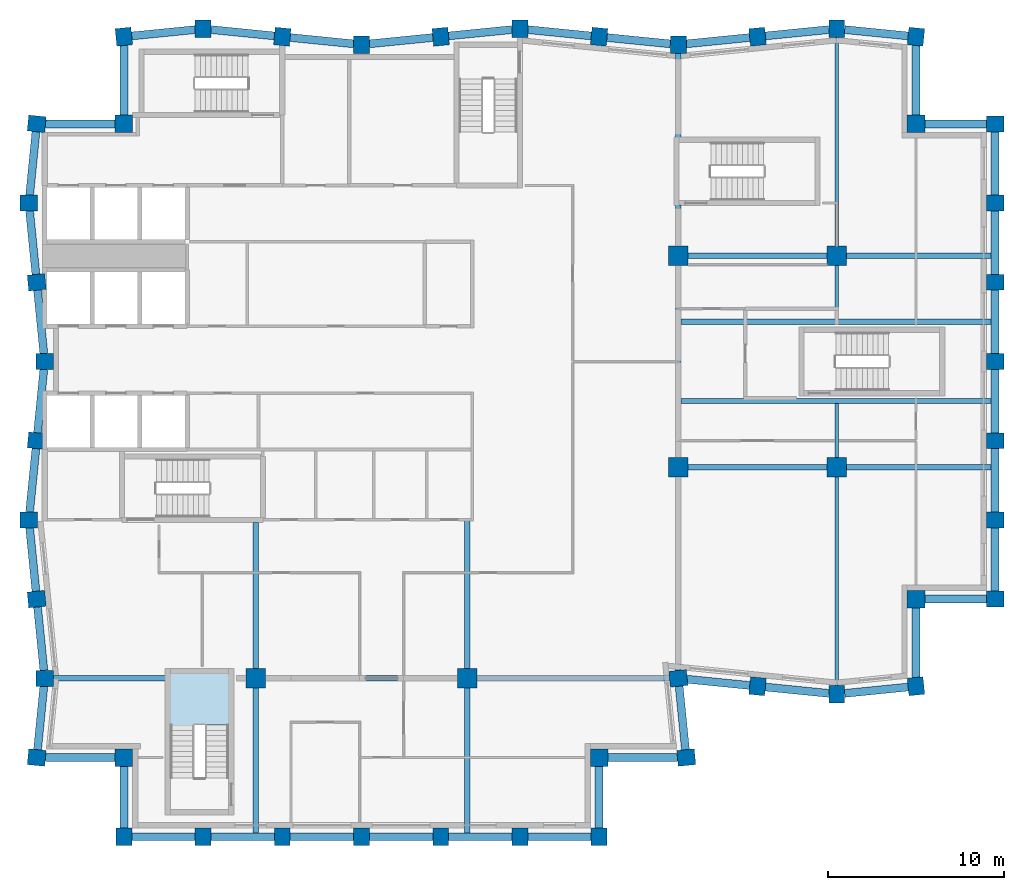
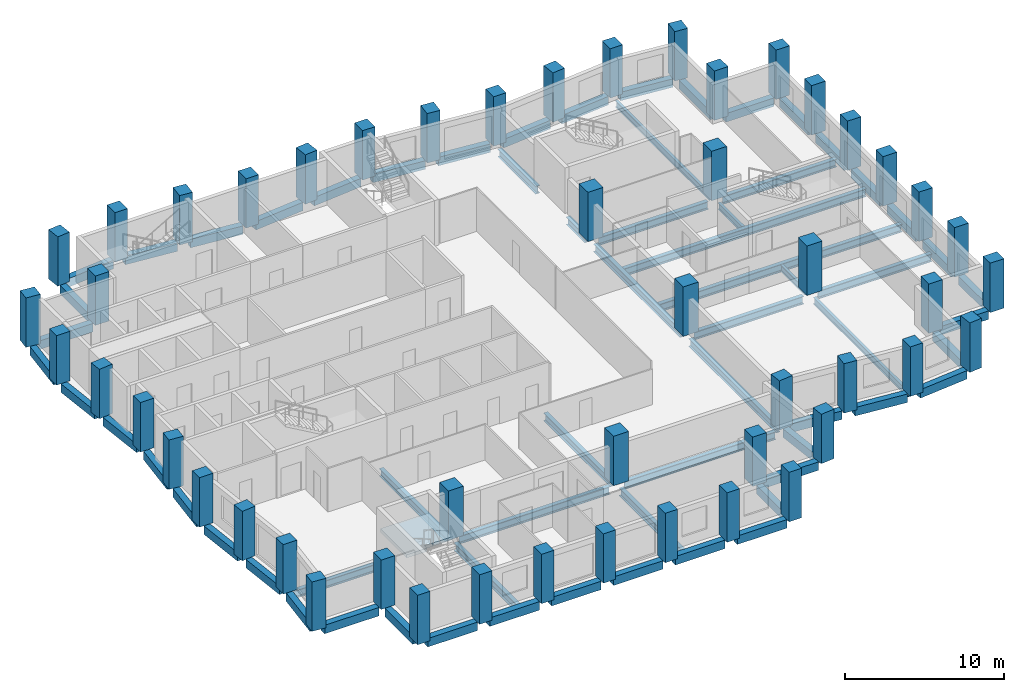
# One storey, part 1 of 8: 65 beams, 50 columns, 1 slab, 1 element without a shape of its own.
"""IFC4 building model written with IfcOpenShell, lengths in metres."""

from ifc_helpers import new_model, si_unit, direction, frame, origin, origin_2d, place, context, subcontext, project, spatial, polyline, rectangle, i_section, outline, extrude, material, layer, layer_set, material_profile, profile_set, type_object, element, aggregate, save


model = new_model("IFC4")

# Units and contexts
model_context = context("Model", 3, precision=1e-05, world=origin(), true_north=direction((0.0, 1.0)))
body_context = subcontext(model_context, "Body", "Model", "MODEL_VIEW")
ifc_project = project(units=[si_unit("LENGTHUNIT", "METRE"), si_unit("AREAUNIT", "SQUARE_METRE"), si_unit("VOLUMEUNIT", "CUBIC_METRE"), si_unit("PLANEANGLEUNIT", "RADIAN"), si_unit("MASSUNIT", "GRAM", prefix="KILO")], contexts=[model_context])

# Site, building, storey
site_placement = place(None, origin())
site = spatial("IfcSite", under=ifc_project, at=site_placement, CompositionType="ELEMENT")
building_placement = place(site_placement, origin())
building = spatial("IfcBuilding", under=site, at=building_placement, Name="Brondeck Convention Tower", CompositionType="ELEMENT")
storey_placement = place(building_placement, frame((0.0, 0.0, 244.39990234375)))
storey = spatial("IfcBuildingStorey", under=building, at=storey_placement, Name="L60", CompositionType="ELEMENT", Elevation=244.39990234375)

# Columns
ifc_material_1 = material(Name="Concrete C50/60", Category="concrete")
ifc_material_profile_1 = material_profile(ifc_material_1, rectangle(XDim=1.0, YDim=1.0, at=origin_2d()), Name="Corner column 1000x1000 Concrete C50/60")
ifc_profile_set_1 = profile_set([ifc_material_profile_1], Name="Concrete C50/60")
column_type_1 = type_object("IfcColumnType", Name="Corner column 1000x1000 Concrete C50/60", PredefinedType="COLUMN", material=ifc_profile_set_1)
for number, where, z_axis, x_axis, name in (
    (1, (4.5, 22.5, 0.0), (0.0, 0.0, 1.0), (1.0, 0.0, 0.0), "STR-COL-L60-NC-SWB18"),
    (2, (31.5, 22.5, 0.0), (0.0, 0.0, 1.0), (1.0, 0.0, 0.0), "STR-COL-L60-NC-SEB18"),
    (3, (49.5, 31.5, 0.0), (0.0, 0.0, 1.0), (1.0, 0.0, 0.0), "STR-COL-L60-NC-SEA54"),
    (4, (49.5, 58.5, 0.0), (0.0, 0.0, 1.0), (1.0, 0.0, 0.0), "STR-COL-L60-NC-NEA54"),
    (5, (4.5, 58.5, 0.0), (0.0, 0.0, 1.0), (1.0, 0.0, 0.0), "STR-COL-L60-NC-NW"),
):
    element("IfcColumn", number, at=place(storey_placement, frame(where, z_axis=z_axis, x_axis=x_axis)), inside=storey, type_object=column_type_1, Name=name, PredefinedType="COLUMN", context=body_context, shape_type="SweptSolid", body=[
        extrude(rectangle(XDim=1.0, YDim=1.0, at=origin_2d()), origin(), (0.0, 0.0, 1.0), 3.800048828125),
    ])
ifc_material_profile_2 = material_profile(ifc_material_1, rectangle(XDim=1.10009765625, YDim=1.10009765625, at=origin_2d()), Name="Interior column 1100x1100 Concrete C50/60")
ifc_profile_set_2 = profile_set([ifc_material_profile_2], Name="Concrete C50/60")
column_type_2 = type_object("IfcColumnType", Name="Interior column 1100x1100 Concrete C50/60", PredefinedType="COLUMN", material=ifc_profile_set_2)
for number, where, z_axis, x_axis, name in (
    (6, (12.0, 27.0, 0.0), (0.0, 0.0, 1.0), (1.0, 0.0, 0.0), "STR-COL-L60-IC-03"),
    (7, (24.0, 27.0, 0.0), (0.0, 0.0, 1.0), (1.0, 0.0, 0.0), "STR-COL-L60-IC-06"),
    (8, (36.0, 39.0, 0.0), (0.0, 0.0, 1.0), (1.0, 0.0, 0.0), "STR-COL-L60-IC-07"),
    (9, (36.0, 51.0, 0.0), (0.0, 0.0, 1.0), (1.0, 0.0, 0.0), "STR-COL-L60-IC-08"),
    (10, (45.0, 39.0, 0.0), (0.0, 0.0, 1.0), (1.0, 0.0, 0.0), "STR-COL-L60-IC-09"),
    (11, (45.0, 51.0, 0.0), (0.0, 0.0, 1.0), (1.0, 0.0, 0.0), "STR-COL-L60-IC-10"),
):
    element("IfcColumn", number, at=place(storey_placement, frame(where, z_axis=z_axis, x_axis=x_axis)), inside=storey, type_object=column_type_2, Name=name, PredefinedType="COLUMN", context=body_context, shape_type="SweptSolid", body=[
        extrude(rectangle(XDim=1.10009765625, YDim=1.10009765625, at=origin_2d()), origin(), (0.0, 0.0, 1.0), 3.800048828125),
    ])
ifc_material_profile_3 = material_profile(ifc_material_1, rectangle(XDim=0.89990234375, YDim=1.0, at=origin_2d()), Name="Perimeter pier 900x1000 Concrete C50/60")
ifc_profile_set_3 = profile_set([ifc_material_profile_3], Name="Concrete C50/60")
column_type_3 = type_object("IfcColumnType", Name="Perimeter pier 900x1000 Concrete C50/60", PredefinedType="COLUMN", material=ifc_profile_set_3)
for number, where, z_axis, x_axis, name in (
    (12, (4.5, 18.0, 0.0), (0.0, 0.0, 1.0), (1.0, 0.0, 0.0), "STR-COL-L60-PC-B-S18-01"),
    (13, (9.0, 18.0, 0.0), (0.0, 0.0, 1.0), (1.0, 0.0, 0.0), "STR-COL-L60-PC-B-S18-02"),
    (14, (13.5, 18.0, 0.0), (0.0, 0.0, 1.0), (1.0, 0.0, 0.0), "STR-COL-L60-PC-B-S18-03"),
    (15, (18.0, 18.0, 0.0), (0.0, 0.0, 1.0), (1.0, 0.0, 0.0), "STR-COL-L60-PC-B-S18-04"),
    (16, (22.5, 18.0, 0.0), (0.0, 0.0, 1.0), (1.0, 0.0, 0.0), "STR-COL-L60-PC-B-S18-05"),
    (17, (27.0, 18.0, 0.0), (0.0, 0.0, 1.0), (1.0, 0.0, 0.0), "STR-COL-L60-PC-B-S18-06"),
    (18, (31.5, 18.0, 0.0), (0.0, 0.0, 1.0), (1.0, 0.0, 0.0), "STR-COL-L60-PC-B-S18-07"),
    (19, (36.449951171875, 22.5, 0.0), (0.0, 0.0, 1.0), (-0.0995038382, 0.995037178292, 0.0), "STR-COL-L60-PC-B-E-01"),
    (20, (36.0, 27.0, 0.0), (0.0, 0.0, 1.0), (-0.0995038382, 0.995037178292, 0.0), "STR-COL-L60-PC-B-E-00"),
    (21, (40.5, 26.550048828125, 0.0), (0.0, 0.0, 1.0), (0.995037178292, -0.0995038382, 0.0), "STR-COL-L60-PC-A-S-01"),
    (22, (45.0, 26.10009765625, 0.0), (0.0, 0.0, 1.0), (1.0, 0.0, 0.0), "STR-COL-L60-PC-A-S-02"),
    (23, (49.5, 26.550048828125, 0.0), (0.0, 0.0, 1.0), (0.995037178292, 0.0995038382, 0.0), "STR-COL-L60-PC-A-S-03"),
    (24, (54.0, 31.5, 0.0), (0.0, 0.0, 1.0), (0.0, 1.0, 0.0), "STR-COL-L60-PC-A-E54-01"),
    (25, (54.0, 36.0, 0.0), (0.0, 0.0, 1.0), (0.0, 1.0, 0.0), "STR-COL-L60-PC-A-E54-02"),
    (26, (54.0, 40.5, 0.0), (0.0, 0.0, 1.0), (0.0, 1.0, 0.0), "STR-COL-L60-PC-A-E54-03"),
    (27, (54.0, 45.0, 0.0), (0.0, 0.0, 1.0), (0.0, 1.0, 0.0), "STR-COL-L60-PC-A-E54-04"),
    (28, (54.0, 49.5, 0.0), (0.0, 0.0, 1.0), (0.0, 1.0, 0.0), "STR-COL-L60-PC-A-E54-05"),
    (29, (54.0, 54.0, 0.0), (0.0, 0.0, 1.0), (0.0, 1.0, 0.0), "STR-COL-L60-PC-A-E54-06"),
    (30, (54.0, 58.5, 0.0), (0.0, 0.0, 1.0), (0.0, 1.0, 0.0), "STR-COL-L60-PC-A-E54-07"),
    (31, (49.5, 63.449951171875, 0.0), (0.0, 0.0, 1.0), (-0.995037178292, 0.0995038382, 0.0), "STR-COL-L60-PC-A-N-11"),
    (32, (45.0, 63.89990234375, 0.0), (0.0, 0.0, 1.0), (-1.0, 0.0, 0.0), "STR-COL-L60-PC-A-N-10"),
    (33, (40.5, 63.449951171875, 0.0), (0.0, 0.0, 1.0), (-0.995037178292, -0.0995038382, 0.0), "STR-COL-L60-PC-A-N-09"),
    (34, (36.0, 63.0, 0.0), (0.0, 0.0, 1.0), (-1.0, 0.0, 0.0), "STR-COL-L60-PC-A-N-08"),
    (35, (31.5, 63.449951171875, 0.0), (0.0, 0.0, 1.0), (-0.995037178292, 0.0995038382, 0.0), "STR-COL-L60-PC-A-N-07"),
    (36, (27.0, 63.89990234375, 0.0), (0.0, 0.0, 1.0), (-1.0, 0.0, 0.0), "STR-COL-L60-PC-A-N-06"),
    (37, (22.5, 63.449951171875, 0.0), (0.0, 0.0, 1.0), (-0.995037178292, -0.0995038382, 0.0), "STR-COL-L60-PC-A-N-05"),
    (38, (18.0, 63.0, 0.0), (0.0, 0.0, 1.0), (-1.0, 0.0, 0.0), "STR-COL-L60-PC-A-N-04"),
    (39, (13.5, 63.449951171875, 0.0), (0.0, 0.0, 1.0), (-0.995037178292, 0.0995038382, 0.0), "STR-COL-L60-PC-A-N-03"),
    (40, (9.0, 63.89990234375, 0.0), (0.0, 0.0, 1.0), (-1.0, 0.0, 0.0), "STR-COL-L60-PC-A-N-02"),
    (41, (4.5, 63.449951171875, 0.0), (0.0, 0.0, 1.0), (-0.995037178292, -0.0995038382, 0.0), "STR-COL-L60-PC-A-N-01"),
    (42, (-0.449951171875, 58.5, 0.0), (0.0, 0.0, 1.0), (-0.0995038382, -0.995037178292, 0.0), "STR-COL-L60-PC-B-W-01"),
    (43, (-0.89990234375, 54.0, 0.0), (0.0, 0.0, 1.0), (0.0, -1.0, 0.0), "STR-COL-L60-PC-B-W-02"),
    (44, (-0.449951171875, 49.5, 0.0), (0.0, 0.0, 1.0), (0.0995038382, -0.995037178292, 0.0), "STR-COL-L60-PC-B-W-03"),
    (45, (0.0, 45.0, 0.0), (0.0, 0.0, 1.0), (0.0, -1.0, 0.0), "STR-COL-L60-PC-B-W-04"),
    (46, (-0.449951171875, 40.5, 0.0), (0.0, 0.0, 1.0), (-0.0995038382, -0.995037178292, 0.0), "STR-COL-L60-PC-B-W-05"),
    (47, (-0.89990234375, 36.0, 0.0), (0.0, 0.0, 1.0), (0.0, -1.0, 0.0), "STR-COL-L60-PC-B-W-06"),
    (48, (-0.449951171875, 31.5, 0.0), (0.0, 0.0, 1.0), (0.0995038382, -0.995037178292, 0.0), "STR-COL-L60-PC-B-W-07"),
    (49, (0.0, 27.0, 0.0), (0.0, 0.0, 1.0), (0.0, -1.0, 0.0), "STR-COL-L60-PC-B-W-08"),
    (50, (-0.449951171875, 22.5, 0.0), (0.0, 0.0, 1.0), (-0.0995038382, -0.995037178292, 0.0), "STR-COL-L60-PC-B-W-09"),
):
    element("IfcColumn", number, at=place(storey_placement, frame(where, z_axis=z_axis, x_axis=x_axis)), inside=storey, type_object=column_type_3, Name=name, PredefinedType="COLUMN", context=body_context, shape_type="SweptSolid", body=[
        extrude(rectangle(XDim=0.89990234375, YDim=1.0, at=origin_2d()), origin(), (0.0, 0.0, 1.0), 3.800048828125),
    ])

# Beams
ifc_material_2 = material(Name="Steel S355", Category="steel")
ifc_material_profile_4 = material_profile(ifc_material_2, i_section(OverallWidth=0.199951171875, OverallDepth=0.5, WebThickness=0.01025390625, FlangeThickness=0.01611328125, FilletRadius=0.02099609375, at=origin_2d()), Name="IPE 500")
ifc_profile_set_4 = profile_set([ifc_material_profile_4], Name="Steel S355")
beam_type_1 = type_object("IfcBeamType", Name="Floor beam IPE 500", PredefinedType="BEAM", material=ifc_profile_set_4)
for number, where, z_axis, x_axis, name in (
    (51, (45.0, 26.60009765625, -0.5498046875), (0.0, 1.0, 0.0), (-1.0, 0.0, 0.0), "STR-FB-L60-001"),
    (52, (45.0, 51.550048828125, -0.5498046875), (0.0, 1.0, 0.0), (-1.0, 0.0, 0.0), "STR-FB-L60-002"),
):
    element("IfcBeam", number, at=place(storey_placement, frame(where, z_axis=z_axis, x_axis=x_axis)), inside=storey, type_object=beam_type_1, Name=name, PredefinedType="BEAM", context=body_context, shape_type="SweptSolid", body=[
        extrude(i_section(OverallWidth=0.199951171875, OverallDepth=0.5, WebThickness=0.01025390625, FlangeThickness=0.01611328125, FilletRadius=0.02099609375, at=origin_2d()), origin(), (0.0, 0.0, 1.0), 11.849853515625),
    ])
for number, where, z_axis, x_axis, name in (
    (53, (45.0, 39.550048828125, -0.5498046875), (0.0, 1.0, 0.0), (-1.0, 0.0, 0.0), "STR-FB-L60-003"),
    (54, (45.0, 47.39990234375, -0.5498046875), (0.0, 1.0, 0.0), (-1.0, 0.0, 0.0), "STR-FB-L60-004"),
):
    element("IfcBeam", number, at=place(storey_placement, frame(where, z_axis=z_axis, x_axis=x_axis)), inside=storey, type_object=beam_type_1, Name=name, PredefinedType="BEAM", context=body_context, shape_type="SweptSolid", body=[
        extrude(i_section(OverallWidth=0.199951171875, OverallDepth=0.5, WebThickness=0.01025390625, FlangeThickness=0.01611328125, FilletRadius=0.02099609375, at=origin_2d()), origin(), (0.0, 0.0, 1.0), 3.050048828125),
    ])
ifc_material_profile_5 = material_profile(ifc_material_2, i_section(OverallWidth=0.300048828125, OverallDepth=0.60009765625, WebThickness=0.015380859375, FlangeThickness=0.030029296875, FilletRadius=0.027099609375, at=origin_2d()), Name="HEB 600")
ifc_profile_set_5 = profile_set([ifc_material_profile_5], Name="Steel S355")
beam_type_2 = type_object("IfcBeamType", Name="Girder HEB 600", PredefinedType="BEAM", material=ifc_profile_set_5)
beam_1_placement = place(storey_placement, frame((36.550048828125, 39.0, -0.599853515625), z_axis=(1.0, 0.0, 0.0), x_axis=(0.0, 1.0, 0.0)))
element("IfcBeam", 55, at=beam_1_placement, inside=storey, type_object=beam_type_2, Name="STR-GR-L60-001", PredefinedType="BEAM", context=body_context, shape_type="SweptSolid", body=[
    extrude(i_section(OverallWidth=0.300048828125, OverallDepth=0.60009765625, WebThickness=0.015380859375, FlangeThickness=0.030029296875, FilletRadius=0.027099609375, at=origin_2d()), origin(), (0.0, 0.0, 1.0), 7.89990234375),
])
beam_2_placement = place(storey_placement, frame((45.550048828125, 39.0, -0.599853515625), z_axis=(1.0, 0.0, 0.0), x_axis=(0.0, 1.0, 0.0)))
element("IfcBeam", 56, at=beam_2_placement, inside=storey, type_object=beam_type_2, Name="STR-GR-L60-002", PredefinedType="BEAM", context=body_context, shape_type="SweptSolid", body=[
    extrude(i_section(OverallWidth=0.300048828125, OverallDepth=0.60009765625, WebThickness=0.015380859375, FlangeThickness=0.030029296875, FilletRadius=0.027099609375, at=origin_2d()), origin(), (0.0, 0.0, 1.0), 8.224853515625),
])
beam_3_placement = place(storey_placement, frame((36.550048828125, 51.0, -0.599853515625), z_axis=(1.0, 0.0, 0.0), x_axis=(0.0, 1.0, 0.0)))
element("IfcBeam", 57, at=beam_3_placement, inside=storey, type_object=beam_type_2, Name="STR-GR-L60-003", PredefinedType="BEAM", context=body_context, shape_type="SweptSolid", body=[
    extrude(i_section(OverallWidth=0.300048828125, OverallDepth=0.60009765625, WebThickness=0.015380859375, FlangeThickness=0.030029296875, FilletRadius=0.027099609375, at=origin_2d()), origin(), (0.0, 0.0, 1.0), 7.89990234375),
])
beam_4_placement = place(storey_placement, frame((45.550048828125, 51.0, -0.599853515625), z_axis=(1.0, 0.0, 0.0), x_axis=(0.0, 1.0, 0.0)))
element("IfcBeam", 58, at=beam_4_placement, inside=storey, type_object=beam_type_2, Name="STR-GR-L60-004", PredefinedType="BEAM", context=body_context, shape_type="SweptSolid", body=[
    extrude(i_section(OverallWidth=0.300048828125, OverallDepth=0.60009765625, WebThickness=0.015380859375, FlangeThickness=0.030029296875, FilletRadius=0.027099609375, at=origin_2d()), origin(), (0.0, 0.0, 1.0), 8.224853515625),
])
beam_5_placement = place(storey_placement, frame((36.0, 27.4521484375, -0.599853515625), z_axis=(0.0, 1.0, 0.0), x_axis=(-1.0, 0.0, 0.0)))
element("IfcBeam", 59, at=beam_5_placement, inside=storey, type_object=beam_type_2, Name="STR-GR-L60-005", PredefinedType="BEAM", context=body_context, shape_type="SweptSolid", body=[
    extrude(i_section(OverallWidth=0.300048828125, OverallDepth=0.60009765625, WebThickness=0.015380859375, FlangeThickness=0.030029296875, FilletRadius=0.027099609375, at=origin_2d()), origin(), (0.0, 0.0, 1.0), 10.997802734375),
])
beam_6_placement = place(storey_placement, frame((36.0, 39.550048828125, -0.599853515625), z_axis=(0.0, 1.0, 0.0), x_axis=(-1.0, 0.0, 0.0)))
element("IfcBeam", 60, at=beam_6_placement, inside=storey, type_object=beam_type_2, Name="STR-GR-L60-006", PredefinedType="BEAM", context=body_context, shape_type="SweptSolid", body=[
    extrude(i_section(OverallWidth=0.300048828125, OverallDepth=0.60009765625, WebThickness=0.015380859375, FlangeThickness=0.030029296875, FilletRadius=0.027099609375, at=origin_2d()), origin(), (0.0, 0.0, 1.0), 10.89990234375),
])
beam_7_placement = place(storey_placement, frame((36.0, 51.550048828125, -0.599853515625), z_axis=(0.0, 1.0, 0.0), x_axis=(-1.0, 0.0, 0.0)))
element("IfcBeam", 61, at=beam_7_placement, inside=storey, type_object=beam_type_2, Name="STR-GR-L60-007", PredefinedType="BEAM", context=body_context, shape_type="SweptSolid", body=[
    extrude(i_section(OverallWidth=0.300048828125, OverallDepth=0.60009765625, WebThickness=0.015380859375, FlangeThickness=0.030029296875, FilletRadius=0.027099609375, at=origin_2d()), origin(), (0.0, 0.0, 1.0), 2.329833984375),
])
beam_8_placement = place(storey_placement, frame((36.0, 57.719970703125, -0.599853515625), z_axis=(0.0, 1.0, 0.0), x_axis=(-1.0, 0.0, 0.0)))
element("IfcBeam", 62, at=beam_8_placement, inside=storey, type_object=beam_type_2, Name="STR-GR-L60-008", PredefinedType="BEAM", context=body_context, shape_type="SweptSolid", body=[
    extrude(i_section(OverallWidth=0.300048828125, OverallDepth=0.60009765625, WebThickness=0.015380859375, FlangeThickness=0.030029296875, FilletRadius=0.027099609375, at=origin_2d()), origin(), (0.0, 0.0, 1.0), 4.780029296875),
])
beam_9_placement = place(storey_placement, frame((12.0, 35.85009765625, -0.599853515625), z_axis=(0.0, -1.0, 0.0), x_axis=(1.0, 0.0, 0.0)))
element("IfcBeam", 63, at=beam_9_placement, inside=storey, type_object=beam_type_2, Name="STR-GR-L60-009", PredefinedType="BEAM", context=body_context, shape_type="SweptSolid", body=[
    extrude(i_section(OverallWidth=0.300048828125, OverallDepth=0.60009765625, WebThickness=0.015380859375, FlangeThickness=0.030029296875, FilletRadius=0.027099609375, at=origin_2d()), origin(), (0.0, 0.0, 1.0), 8.300048828125),
])
beam_10_placement = place(storey_placement, frame((12.0, 26.449951171875, -0.599853515625), z_axis=(0.0, -1.0, 0.0), x_axis=(1.0, 0.0, 0.0)))
element("IfcBeam", 64, at=beam_10_placement, inside=storey, type_object=beam_type_2, Name="STR-GR-L60-010", PredefinedType="BEAM", context=body_context, shape_type="SweptSolid", body=[
    extrude(i_section(OverallWidth=0.300048828125, OverallDepth=0.60009765625, WebThickness=0.015380859375, FlangeThickness=0.030029296875, FilletRadius=0.027099609375, at=origin_2d()), origin(), (0.0, 0.0, 1.0), 8.224853515625),
])
beam_11_placement = place(storey_placement, frame((24.0, 35.955078125, -0.599853515625), z_axis=(0.0, -1.0, 0.0), x_axis=(1.0, 0.0, 0.0)))
element("IfcBeam", 65, at=beam_11_placement, inside=storey, type_object=beam_type_2, Name="STR-GR-L60-011", PredefinedType="BEAM", context=body_context, shape_type="SweptSolid", body=[
    extrude(i_section(OverallWidth=0.300048828125, OverallDepth=0.60009765625, WebThickness=0.015380859375, FlangeThickness=0.030029296875, FilletRadius=0.027099609375, at=origin_2d()), origin(), (0.0, 0.0, 1.0), 8.405029296875),
])
beam_12_placement = place(storey_placement, frame((24.0, 26.449951171875, -0.599853515625), z_axis=(0.0, -1.0, 0.0), x_axis=(1.0, 0.0, 0.0)))
element("IfcBeam", 66, at=beam_12_placement, inside=storey, type_object=beam_type_2, Name="STR-GR-L60-012", PredefinedType="BEAM", context=body_context, shape_type="SweptSolid", body=[
    extrude(i_section(OverallWidth=0.300048828125, OverallDepth=0.60009765625, WebThickness=0.015380859375, FlangeThickness=0.030029296875, FilletRadius=0.027099609375, at=origin_2d()), origin(), (0.0, 0.0, 1.0), 8.224853515625),
])
beam_13_placement = place(storey_placement, frame((0.5, 27.0, -0.599853515625), z_axis=(1.0, 0.0, 0.0), x_axis=(0.0, 1.0, 0.0)))
element("IfcBeam", 67, at=beam_13_placement, inside=storey, type_object=beam_type_2, Name="STR-GR-L60-013", PredefinedType="BEAM", context=body_context, shape_type="SweptSolid", body=[
    extrude(i_section(OverallWidth=0.300048828125, OverallDepth=0.60009765625, WebThickness=0.015380859375, FlangeThickness=0.030029296875, FilletRadius=0.027099609375, at=origin_2d()), origin(), (0.0, 0.0, 1.0), 6.3798828125),
])
beam_14_placement = place(storey_placement, frame((12.550048828125, 27.0, -0.599853515625), z_axis=(1.0, 0.0, 0.0), x_axis=(0.0, 1.0, 0.0)))
element("IfcBeam", 68, at=beam_14_placement, inside=storey, type_object=beam_type_2, Name="STR-GR-L60-014", PredefinedType="BEAM", context=body_context, shape_type="SweptSolid", body=[
    extrude(i_section(OverallWidth=0.300048828125, OverallDepth=0.60009765625, WebThickness=0.015380859375, FlangeThickness=0.030029296875, FilletRadius=0.027099609375, at=origin_2d()), origin(), (0.0, 0.0, 1.0), 10.89990234375),
])
beam_15_placement = place(storey_placement, frame((24.550048828125, 27.0, -0.599853515625), z_axis=(1.0, 0.0, 0.0), x_axis=(0.0, 1.0, 0.0)))
element("IfcBeam", 69, at=beam_15_placement, inside=storey, type_object=beam_type_2, Name="STR-GR-L60-015", PredefinedType="BEAM", context=body_context, shape_type="SweptSolid", body=[
    extrude(i_section(OverallWidth=0.300048828125, OverallDepth=0.60009765625, WebThickness=0.015380859375, FlangeThickness=0.030029296875, FilletRadius=0.027099609375, at=origin_2d()), origin(), (0.0, 0.0, 1.0), 10.947509765625),
])
for number, where, z_axis, x_axis, name in (
    (70, (36.14990234375, 42.75, -0.599853515625), (1.0, 0.0, 0.0), (0.0, 1.0, 0.0), "STR-GR-L60-016"),
    (71, (36.14990234375, 47.25, -0.599853515625), (1.0, 0.0, 0.0), (0.0, 1.0, 0.0), "STR-GR-L60-017"),
):
    element("IfcBeam", number, at=place(storey_placement, frame(where, z_axis=z_axis, x_axis=x_axis)), inside=storey, type_object=beam_type_2, Name=name, PredefinedType="BEAM", context=body_context, shape_type="SweptSolid", body=[
        extrude(i_section(OverallWidth=0.300048828125, OverallDepth=0.60009765625, WebThickness=0.015380859375, FlangeThickness=0.030029296875, FilletRadius=0.027099609375, at=origin_2d()), origin(), (0.0, 0.0, 1.0), 17.625),
    ])
ifc_material_profile_6 = material_profile(ifc_material_1, rectangle(XDim=0.449951171875, YDim=0.64990234375, at=origin_2d()), Name="Precast spandrel 450x650 Concrete C50/60")
ifc_profile_set_6 = profile_set([ifc_material_profile_6], Name="Concrete C50/60")
beam_type_3 = type_object("IfcBeamType", Name="Precast spandrel 450x650 Concrete C50/60", PredefinedType="SPANDREL", material=ifc_profile_set_6)
for number, where, z_axis, x_axis, name in (
    (72, (4.949951171875, 18.0, -0.324951171875), (1.0, 0.0, 0.0), (0.0, 1.0, 0.0), "STR-SP-L60-001"),
    (73, (9.449951171875, 18.0, -0.324951171875), (1.0, 0.0, 0.0), (0.0, 1.0, 0.0), "STR-SP-L60-002"),
    (74, (13.949951171875, 18.0, -0.324951171875), (1.0, 0.0, 0.0), (0.0, 1.0, 0.0), "STR-SP-L60-003"),
    (75, (18.449951171875, 18.0, -0.324951171875), (1.0, 0.0, 0.0), (0.0, 1.0, 0.0), "STR-SP-L60-004"),
    (76, (22.949951171875, 18.0, -0.324951171875), (1.0, 0.0, 0.0), (0.0, 1.0, 0.0), "STR-SP-L60-005"),
    (77, (27.449951171875, 18.0, -0.324951171875), (1.0, 0.0, 0.0), (0.0, 1.0, 0.0), "STR-SP-L60-006"),
):
    element("IfcBeam", number, at=place(storey_placement, frame(where, z_axis=z_axis, x_axis=x_axis)), inside=storey, type_object=beam_type_3, Name=name, PredefinedType="SPANDREL", context=body_context, shape_type="SweptSolid", body=[
        extrude(rectangle(XDim=0.449951171875, YDim=0.64990234375, at=origin_2d()), origin(), (0.0, 0.0, 1.0), 3.60009765625),
    ])
beam_16_placement = place(storey_placement, frame((31.5, 18.5, -0.324951171875), z_axis=(0.0, 1.0, 0.0), x_axis=(-1.0, 0.0, 0.0)))
element("IfcBeam", 78, at=beam_16_placement, inside=storey, type_object=beam_type_3, Name="STR-SP-L60-007", PredefinedType="SPANDREL", context=body_context, shape_type="SweptSolid", body=[
    extrude(rectangle(XDim=0.449951171875, YDim=0.64990234375, at=origin_2d()), origin(), (0.0, 0.0, 1.0), 3.5),
])
beam_17_placement = place(storey_placement, frame((32.0, 22.5, -0.324951171875), z_axis=(1.0, 0.0, 0.0), x_axis=(0.0, 1.0, 0.0)))
element("IfcBeam", 79, at=beam_17_placement, inside=storey, type_object=beam_type_3, Name="STR-SP-L60-008", PredefinedType="SPANDREL", context=body_context, shape_type="SweptSolid", body=[
    extrude(rectangle(XDim=0.449951171875, YDim=0.64990234375, at=origin_2d()), origin(), (0.0, 0.0, 1.0), 3.947509765625),
])
beam_18_placement = place(storey_placement, frame((36.4052734375, 22.94775390625, -0.324951171875), z_axis=(-0.099543756114, 0.995033185687, 0.0), x_axis=(-0.995033185687, -0.099543756114, 0.0)))
element("IfcBeam", 80, at=beam_18_placement, inside=storey, type_object=beam_type_3, Name="STR-SP-L60-009", PredefinedType="SPANDREL", context=body_context, shape_type="SweptSolid", body=[
    extrude(rectangle(XDim=0.449951171875, YDim=0.64990234375, at=origin_2d()), origin(), (0.0, 0.0, 1.0), 3.62255859375),
])
beam_19_placement = place(storey_placement, frame((36.507568359375, 26.94921875, -0.324951171875), z_axis=(0.995036511638, -0.099510504504, 0.0), x_axis=(0.099510504504, 0.995036511638, 0.0)))
element("IfcBeam", 81, at=beam_19_placement, inside=storey, type_object=beam_type_3, Name="STR-SP-L60-010", PredefinedType="SPANDREL", context=body_context, shape_type="SweptSolid", body=[
    extrude(rectangle(XDim=0.449951171875, YDim=0.64990234375, at=origin_2d()), origin(), (0.0, 0.0, 1.0), 3.562255859375),
])
for number, where, z_axis, x_axis, name in (
    (82, (40.94775390625, 26.505126953125, -0.324951171875), (0.995040528141, -0.099470334057, 0.0), (0.099470334057, 0.995040528141, 0.0), "STR-SP-L60-011"),
    (83, (45.449951171875, 26.14501953125, -0.324951171875), (0.995040528141, 0.099470334057, 0.0), (-0.099470334057, 0.995040528141, 0.0), "STR-SP-L60-012"),
):
    element("IfcBeam", number, at=place(storey_placement, frame(where, z_axis=z_axis, x_axis=x_axis)), inside=storey, type_object=beam_type_3, Name=name, PredefinedType="SPANDREL", context=body_context, shape_type="SweptSolid", body=[
        extrude(rectangle(XDim=0.449951171875, YDim=0.64990234375, at=origin_2d()), origin(), (0.0, 0.0, 1.0), 3.620361328125),
    ])
beam_20_placement = place(storey_placement, frame((49.5, 27.052490234375, -0.324951171875), z_axis=(0.0, 1.0, 0.0), x_axis=(-1.0, 0.0, 0.0)))
element("IfcBeam", 84, at=beam_20_placement, inside=storey, type_object=beam_type_3, Name="STR-SP-L60-013", PredefinedType="SPANDREL", context=body_context, shape_type="SweptSolid", body=[
    extrude(rectangle(XDim=0.449951171875, YDim=0.64990234375, at=origin_2d()), origin(), (0.0, 0.0, 1.0), 3.947509765625),
])
beam_21_placement = place(storey_placement, frame((50.0, 31.5, -0.324951171875), z_axis=(1.0, 0.0, 0.0), x_axis=(0.0, 1.0, 0.0)))
element("IfcBeam", 85, at=beam_21_placement, inside=storey, type_object=beam_type_3, Name="STR-SP-L60-014", PredefinedType="SPANDREL", context=body_context, shape_type="SweptSolid", body=[
    extrude(rectangle(XDim=0.449951171875, YDim=0.64990234375, at=origin_2d()), origin(), (0.0, 0.0, 1.0), 3.5),
])
for number, where, z_axis, x_axis, name in (
    (86, (54.0, 31.949951171875, -0.324951171875), (0.0, 1.0, 0.0), (-1.0, 0.0, 0.0), "STR-SP-L60-015"),
    (87, (54.0, 36.449951171875, -0.324951171875), (0.0, 1.0, 0.0), (-1.0, 0.0, 0.0), "STR-SP-L60-016"),
    (88, (54.0, 40.949951171875, -0.324951171875), (0.0, 1.0, 0.0), (-1.0, 0.0, 0.0), "STR-SP-L60-017"),
    (89, (54.0, 45.449951171875, -0.324951171875), (0.0, 1.0, 0.0), (-1.0, 0.0, 0.0), "STR-SP-L60-018"),
    (90, (54.0, 49.949951171875, -0.324951171875), (0.0, 1.0, 0.0), (-1.0, 0.0, 0.0), "STR-SP-L60-019"),
    (91, (54.0, 54.449951171875, -0.324951171875), (0.0, 1.0, 0.0), (-1.0, 0.0, 0.0), "STR-SP-L60-020"),
):
    element("IfcBeam", number, at=place(storey_placement, frame(where, z_axis=z_axis, x_axis=x_axis)), inside=storey, type_object=beam_type_3, Name=name, PredefinedType="SPANDREL", context=body_context, shape_type="SweptSolid", body=[
        extrude(rectangle(XDim=0.449951171875, YDim=0.64990234375, at=origin_2d()), origin(), (0.0, 0.0, 1.0), 3.60009765625),
    ])
beam_22_placement = place(storey_placement, frame((53.5, 58.5, -0.324951171875), z_axis=(-1.0, 0.0, 0.0), x_axis=(0.0, -1.0, 0.0)))
element("IfcBeam", 92, at=beam_22_placement, inside=storey, type_object=beam_type_3, Name="STR-SP-L60-021", PredefinedType="SPANDREL", context=body_context, shape_type="SweptSolid", body=[
    extrude(rectangle(XDim=0.449951171875, YDim=0.64990234375, at=origin_2d()), origin(), (0.0, 0.0, 1.0), 3.5),
])
beam_23_placement = place(storey_placement, frame((49.5, 59.0, -0.324951171875), z_axis=(0.0, 1.0, 0.0), x_axis=(-1.0, 0.0, 0.0)))
element("IfcBeam", 93, at=beam_23_placement, inside=storey, type_object=beam_type_3, Name="STR-SP-L60-022", PredefinedType="SPANDREL", context=body_context, shape_type="SweptSolid", body=[
    extrude(rectangle(XDim=0.449951171875, YDim=0.64990234375, at=origin_2d()), origin(), (0.0, 0.0, 1.0), 3.947509765625),
])
for number, where, z_axis, x_axis, name in (
    (94, (49.05224609375, 63.494873046875, -0.324951171875), (-0.995040528141, 0.099470334057, 0.0), (-0.099470334057, -0.995040528141, 0.0), "STR-SP-L60-023"),
    (95, (44.550048828125, 63.85498046875, -0.324951171875), (-0.995040528141, -0.099470334057, 0.0), (0.099470334057, -0.995040528141, 0.0), "STR-SP-L60-024"),
    (96, (40.05224609375, 63.4052734375, -0.324951171875), (-0.995033851182, -0.099537103649, 0.0), (0.099537103649, -0.995033851182, 0.0), "STR-SP-L60-025"),
    (97, (35.550048828125, 63.044921875, -0.324951171875), (-0.995033851182, 0.099537103649, 0.0), (-0.099537103649, -0.995033851182, 0.0), "STR-SP-L60-026"),
    (98, (31.05224609375, 63.494873046875, -0.324951171875), (-0.995040528141, 0.099470334057, 0.0), (-0.099470334057, -0.995040528141, 0.0), "STR-SP-L60-027"),
    (99, (26.550048828125, 63.85498046875, -0.324951171875), (-0.995040528141, -0.099470334057, 0.0), (0.099470334057, -0.995040528141, 0.0), "STR-SP-L60-028"),
    (100, (22.05224609375, 63.4052734375, -0.324951171875), (-0.995033851182, -0.099537103649, 0.0), (0.099537103649, -0.995033851182, 0.0), "STR-SP-L60-029"),
    (101, (17.550048828125, 63.044921875, -0.324951171875), (-0.995033851182, 0.099537103649, 0.0), (-0.099537103649, -0.995033851182, 0.0), "STR-SP-L60-030"),
    (102, (13.05224609375, 63.494873046875, -0.324951171875), (-0.995040528141, 0.099470334057, 0.0), (-0.099470334057, -0.995040528141, 0.0), "STR-SP-L60-031"),
    (103, (8.550048828125, 63.85498046875, -0.324951171875), (-0.995040528141, -0.099470334057, 0.0), (0.099470334057, -0.995040528141, 0.0), "STR-SP-L60-032"),
):
    element("IfcBeam", number, at=place(storey_placement, frame(where, z_axis=z_axis, x_axis=x_axis)), inside=storey, type_object=beam_type_3, Name=name, PredefinedType="SPANDREL", context=body_context, shape_type="SweptSolid", body=[
        extrude(rectangle(XDim=0.449951171875, YDim=0.64990234375, at=origin_2d()), origin(), (0.0, 0.0, 1.0), 3.620361328125),
    ])
for number, where, z_axis, x_axis, name in (
    (104, (4.5, 62.947509765625, -0.324951171875), (0.0, -1.0, 0.0), (1.0, 0.0, 0.0), "STR-SP-L60-033"),
    (105, (4.0, 58.5, -0.324951171875), (-1.0, 0.0, 0.0), (0.0, -1.0, 0.0), "STR-SP-L60-034"),
):
    element("IfcBeam", number, at=place(storey_placement, frame(where, z_axis=z_axis, x_axis=x_axis)), inside=storey, type_object=beam_type_3, Name=name, PredefinedType="SPANDREL", context=body_context, shape_type="SweptSolid", body=[
        extrude(rectangle(XDim=0.449951171875, YDim=0.64990234375, at=origin_2d()), origin(), (0.0, 0.0, 1.0), 3.947509765625),
    ])
for number, where, z_axis, x_axis, name in (
    (106, (-0.494873046875, 58.05224609375, -0.324951171875), (-0.099470334057, -0.995040528141, 0.0), (0.995040528141, -0.099470334057, 0.0), "STR-SP-L60-035"),
    (107, (-0.85498046875, 53.550048828125, -0.324951171875), (0.099470334057, -0.995040528141, 0.0), (0.995040528141, 0.099470334057, 0.0), "STR-SP-L60-036"),
    (108, (-0.4052734375, 49.05224609375, -0.324951171875), (0.099537103649, -0.995033851182, 0.0), (0.995033851182, 0.099537103649, 0.0), "STR-SP-L60-037"),
    (109, (-0.044921875, 44.550048828125, -0.324951171875), (-0.099537103649, -0.995033851182, 0.0), (0.995033851182, -0.099537103649, 0.0), "STR-SP-L60-038"),
    (110, (-0.494873046875, 40.05224609375, -0.324951171875), (-0.099470334057, -0.995040528141, 0.0), (0.995040528141, -0.099470334057, 0.0), "STR-SP-L60-039"),
    (111, (-0.85498046875, 35.550048828125, -0.324951171875), (0.099470334057, -0.995040528141, 0.0), (0.995040528141, 0.099470334057, 0.0), "STR-SP-L60-040"),
    (112, (-0.4052734375, 31.05224609375, -0.324951171875), (0.099537103649, -0.995033851182, 0.0), (0.995033851182, 0.099537103649, 0.0), "STR-SP-L60-041"),
    (113, (-0.044921875, 26.550048828125, -0.324951171875), (-0.099537103649, -0.995033851182, 0.0), (0.995033851182, -0.099537103649, 0.0), "STR-SP-L60-042"),
):
    element("IfcBeam", number, at=place(storey_placement, frame(where, z_axis=z_axis, x_axis=x_axis)), inside=storey, type_object=beam_type_3, Name=name, PredefinedType="SPANDREL", context=body_context, shape_type="SweptSolid", body=[
        extrude(rectangle(XDim=0.449951171875, YDim=0.64990234375, at=origin_2d()), origin(), (0.0, 0.0, 1.0), 3.620361328125),
    ])
beam_24_placement = place(storey_placement, frame((0.052490234375, 22.5, -0.324951171875), z_axis=(1.0, 0.0, 0.0), x_axis=(0.0, 1.0, 0.0)))
element("IfcBeam", 114, at=beam_24_placement, inside=storey, type_object=beam_type_3, Name="STR-SP-L60-043", PredefinedType="SPANDREL", context=body_context, shape_type="SweptSolid", body=[
    extrude(rectangle(XDim=0.449951171875, YDim=0.64990234375, at=origin_2d()), origin(), (0.0, 0.0, 1.0), 3.947509765625),
])
beam_25_placement = place(storey_placement, frame((4.5, 22.0, -0.324951171875), z_axis=(0.0, -1.0, 0.0), x_axis=(1.0, 0.0, 0.0)))
element("IfcBeam", 115, at=beam_25_placement, inside=storey, type_object=beam_type_3, Name="STR-SP-L60-044", PredefinedType="SPANDREL", context=body_context, shape_type="SweptSolid", body=[
    extrude(rectangle(XDim=0.449951171875, YDim=0.64990234375, at=origin_2d()), origin(), (0.0, 0.0, 1.0), 3.5),
])

# Stair, slab
ifc_material_3 = material(Name="Precast concrete C50/60", Category="concrete")
stair_type = type_object("IfcStairType", Name="Core stair 22 risers 172.73 mm riser 300 mm going 1350 wide", PredefinedType="HALF_TURN_STAIR", material=ifc_material_3)
stair_placement = place(storey_placement, origin())
stair = element("IfcStair", 116, at=stair_placement, inside=storey, type_object=stair_type, Name="ST-BE L60 stair", PredefinedType="HALF_TURN_STAIR")
ifc_layer = layer(ifc_material_3, 0.25)
ifc_layer_set = layer_set([ifc_layer], Name="Core stair landing 250 Precast concrete C50/60")
slab_type = type_object("IfcSlabType", Name="Core stair landing 250 Precast concrete C50/60", PredefinedType="LANDING", material=ifc_layer_set)
slab_placement = place(storey_placement, frame((0.0, 0.0, 1.650146484375)))
slab = element("IfcSlab", 117, at=slab_placement, type_object=slab_type, Name="ST-BE landing 1", PredefinedType="LANDING", context=body_context, shape_type="SweptSolid", body=[
    extrude(outline(polyline([(7.030029296875, 24.050048828125), (7.030029296875, 27.3701171875), (10.570068359375, 27.3701171875), (10.570068359375, 24.347900390625), (9.10009765625, 24.347900390625), (9.10009765625, 24.35009765625), (8.5, 24.35009765625), (8.5, 24.050048828125), (7.030029296875, 24.050048828125)])), origin(), (0.0, 0.0, 1.0), 0.25),
])
aggregate(stair, [slab])

save(model, "model.ifc")
